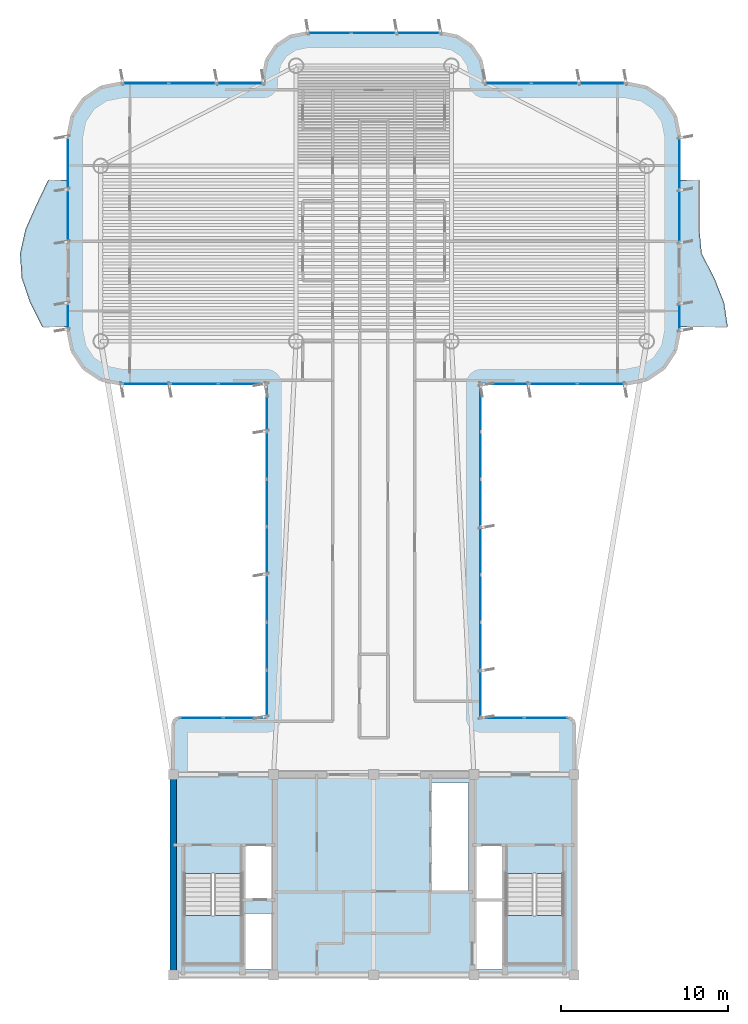
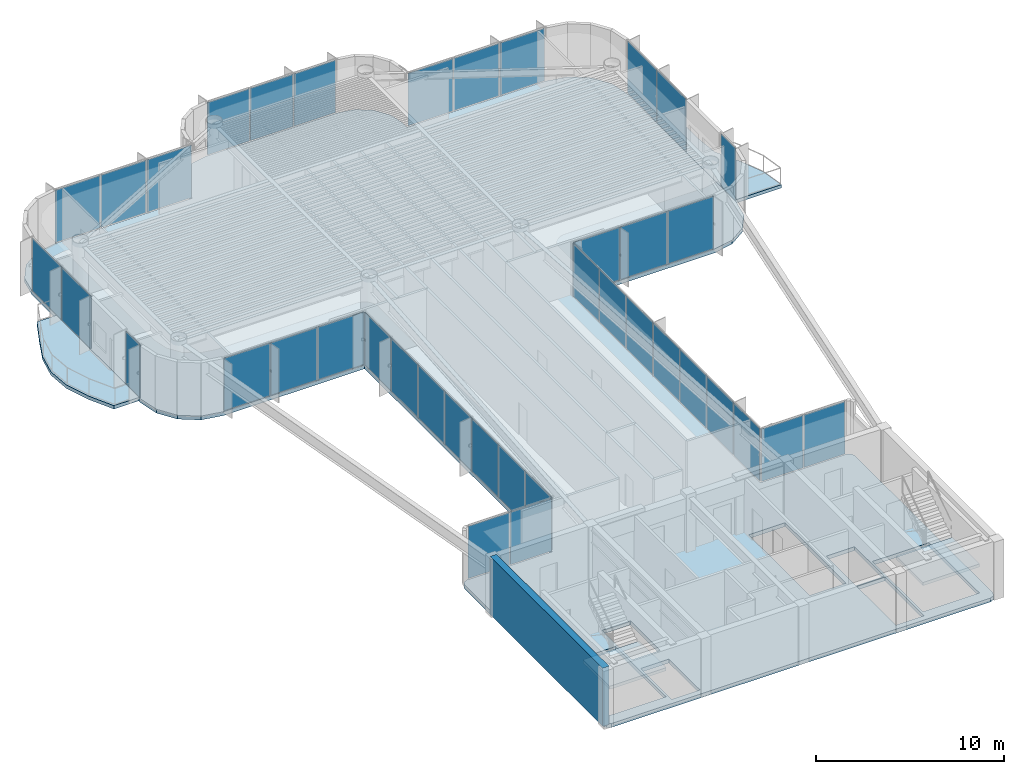
# One storey, part 9 of 16: 39 plates, 5 slabs, 1 wall, 15 elements without a shape of their own.
"""IFC4 building model written with IfcOpenShell, lengths in metres."""

import ifcopenshell
import ifcopenshell.guid

model = None  # the IFC model being written
_history = None  # IfcOwnerHistory: only IFC2X3 demands one
_inside = {}  # id of a spatial element -> (the spatial element, [elements in it])
_under = {}  # id of a project, library or spatial element -> (it, [spatial elements below it])
_declared = {}  # id of a project -> (the project, [libraries it declares])
_typed = {}  # id of a type object -> (the type object, [elements of that type])
_made_of = {}  # id of a material, layer set ... -> (it, [elements and type objects made of it])


def new_model(schema):
    """Start an empty IFC model of exactly this schema.

    Asked for "IFC4X3", IfcOpenShell would pick the latest addendum, in which some entities
    have other attributes; the version numbers below select the first issue.
    IFC2X3 requires an IfcOwnerHistory on every rooted entity: one is made here for all.
    """
    global model, _history
    if schema == "IFC4X3":
        model = ifcopenshell.file(schema_version=(4, 3, 0, 0))
    else:
        model = ifcopenshell.file(schema=schema)
    _inside.clear()
    _under.clear()
    _declared.clear()
    _typed.clear()
    _made_of.clear()
    _history = None
    if model.schema == "IFC2X3":
        org = make("IfcOrganization", Name="unknown")
        user = make(
            "IfcPersonAndOrganization",
            ThePerson=make("IfcPerson", FamilyName="unknown"),
            TheOrganization=org,
        )
        app = make(
            "IfcApplication",
            ApplicationDeveloper=org,
            Version="unknown",
            ApplicationFullName="unknown",
            ApplicationIdentifier="unknown",
        )
        _history = make(
            "IfcOwnerHistory",
            OwningUser=user,
            OwningApplication=app,
            ChangeAction="ADDED",
            CreationDate=0,
        )
    return model


def make(cls, **values):
    """One entity of the class cls with the attributes given. An attribute that is None is left unset."""
    return model.create_entity(
        cls, **{name: value for name, value in values.items() if value is not None}
    )


def rooted(cls, **values):
    """An entity with a GlobalId (a new one), such as an element, a storey or a relation."""
    return make(cls, GlobalId=ifcopenshell.guid.new(), OwnerHistory=_history, **values)


def si_unit(unit_type, name, prefix=None):
    """IfcSIUnit, for example si_unit("LENGTHUNIT", "METRE", prefix="MILLI")."""
    return make("IfcSIUnit", UnitType=unit_type, Prefix=prefix, Name=name)


def assignment(units):
    """IfcUnitAssignment: the units of a project."""
    return None if units is None else make("IfcUnitAssignment", Units=units)


def point(xyz):
    """IfcCartesianPoint."""
    return None if xyz is None else make("IfcCartesianPoint", Coordinates=xyz)


def direction(xyz):
    """IfcDirection."""
    return None if xyz is None else make("IfcDirection", DirectionRatios=xyz)


def frame(location, z_axis=None, x_axis=None):
    """IfcAxis2Placement3D, a coordinate frame: its origin and axes. An axis left out is left unset."""
    return make(
        "IfcAxis2Placement3D",
        Location=point(location),
        Axis=direction(z_axis),
        RefDirection=direction(x_axis),
    )


def frame_2d(location, x_axis=None):
    """IfcAxis2Placement2D, a coordinate frame in the plane: its origin and x axis."""
    return make(
        "IfcAxis2Placement2D", Location=point(location), RefDirection=direction(x_axis)
    )


def origin():
    """The frame at (0, 0, 0) with its axes left unset."""
    return frame((0.0, 0.0, 0.0))


def origin_2d():
    """The frame at (0, 0) in the plane with its x axis left unset."""
    return frame_2d((0.0, 0.0))


def place(relative_to, where):
    """IfcLocalPlacement: puts the frame where relative to a parent placement (None: the world)."""
    return make(
        "IfcLocalPlacement", PlacementRelTo=relative_to, RelativePlacement=where
    )


def context(
    kind, dimensions, precision=None, world=None, true_north=None, identifier=None
):
    """IfcGeometricRepresentationContext, for example the 3D "Model" context."""
    return make(
        "IfcGeometricRepresentationContext",
        ContextIdentifier=identifier,
        ContextType=kind,
        CoordinateSpaceDimension=dimensions,
        Precision=precision,
        WorldCoordinateSystem=world,
        TrueNorth=true_north,
    )


def subcontext(parent, identifier, kind, view, scale=None):
    """IfcGeometricRepresentationSubContext, for example "Body" below "Model"."""
    return make(
        "IfcGeometricRepresentationSubContext",
        ContextIdentifier=identifier,
        ContextType=kind,
        ParentContext=parent,
        TargetScale=scale,
        TargetView=view,
    )


def project(units=None, contexts=None):
    """IfcProject with its units and contexts."""
    return rooted(
        "IfcProject",
        Name="project",
        RepresentationContexts=contexts,
        UnitsInContext=assignment(units),
    )


def spatial(cls, under=None, at=None, **own):
    """A site, building, storey or space (cls), placed at a placement, below another one or the project."""
    s = rooted(cls, ObjectPlacement=at, **own)
    if under is not None:
        _under.setdefault(under.id(), (under, []))[1].append(s)
    return s


def polyline(points):
    """IfcPolyline through the points."""
    return make("IfcPolyline", Points=[point(p) for p in points])


def profile(cls, at=None, kind="AREA", **sizes):
    """A parametric profile (cls). Its sizes go by their IFC names, for example OverallWidth=200.0."""
    return make(cls, ProfileType=kind, Position=at, **sizes)


def rectangle(**sizes):
    """IfcRectangleProfileDef."""
    return profile("IfcRectangleProfileDef", **sizes)


def outline(outer, holes=None, kind="AREA"):
    """IfcArbitraryClosedProfileDef: a profile drawn as a closed curve; with holes, ...WithVoids."""
    if holes is None:
        return make("IfcArbitraryClosedProfileDef", ProfileType=kind, OuterCurve=outer)
    return make(
        "IfcArbitraryProfileDefWithVoids",
        ProfileType=kind,
        OuterCurve=outer,
        InnerCurves=holes,
    )


def extrude(swept, where, along, depth):
    """IfcExtrudedAreaSolid: the profile swept, set in the frame where, extruded along a direction by depth."""
    return make(
        "IfcExtrudedAreaSolid",
        SweptArea=swept,
        Position=where,
        ExtrudedDirection=direction(along),
        Depth=depth,
    )


def shape(context_of_items, identifier, shape_type, items):
    """IfcShapeRepresentation: the items that make up one representation, for example the "Body"."""
    return make(
        "IfcShapeRepresentation",
        ContextOfItems=context_of_items,
        RepresentationIdentifier=identifier,
        RepresentationType=shape_type,
        Items=items,
    )


def source(mapping_origin, context_of_items, identifier, shape_type, items):
    """IfcRepresentationMap: a shape defined once, which mapped items show again and again."""
    return make(
        "IfcRepresentationMap",
        MappingOrigin=mapping_origin,
        MappedRepresentation=shape(context_of_items, identifier, shape_type, items),
    )


def transform(
    local_origin,
    x_axis=None,
    y_axis=None,
    z_axis=None,
    scale=None,
    scale2=None,
    scale3=None,
    uniform=True,
):
    """IfcCartesianTransformationOperator3D, or its non-uniform kind. x_axis, y_axis, z_axis: its Axis1, 2, 3."""
    if uniform:
        return make(
            "IfcCartesianTransformationOperator3D",
            Axis1=direction(x_axis),
            Axis2=direction(y_axis),
            LocalOrigin=point(local_origin),
            Scale=scale,
            Axis3=direction(z_axis),
        )
    return make(
        "IfcCartesianTransformationOperator3DnonUniform",
        Axis1=direction(x_axis),
        Axis2=direction(y_axis),
        LocalOrigin=point(local_origin),
        Scale=scale,
        Axis3=direction(z_axis),
        Scale2=scale2,
        Scale3=scale3,
    )


def mapped(mapping_source, mapping_target):
    """IfcMappedItem: shows the shape of a source again, moved by a transform."""
    return make(
        "IfcMappedItem", MappingSource=mapping_source, MappingTarget=mapping_target
    )


def material(Name=None, Category=None):
    """IfcMaterial."""
    return make("IfcMaterial", Name=Name, Category=Category)


def layer(
    of_material, thickness, ventilated=None, Name=None, Category=None, Priority=None
):
    """IfcMaterialLayer: one layer of a wall or slab, of a material (None: an air gap)."""
    return make(
        "IfcMaterialLayer",
        Material=of_material,
        LayerThickness=thickness,
        IsVentilated=ventilated,
        Name=Name,
        Category=Category,
        Priority=Priority,
    )


def layer_set(layers, Name=None):
    """IfcMaterialLayerSet."""
    return make("IfcMaterialLayerSet", MaterialLayers=layers, LayerSetName=Name)


def made_of(thing, what):
    """Note that an element or type object is made of a material, layer set ...; save() writes the relation."""
    if what is not None:
        _made_of.setdefault(what.id(), (what, []))[1].append(thing)
    return thing


def type_object(cls, material=None, **own):
    """A type object (cls), such as IfcWallType, which elements share."""
    return made_of(rooted(cls, **own), material)


def element(
    cls,
    number,
    at=None,
    inside=None,
    cuts=None,
    type_object=None,
    material=None,
    context=None,
    identifier="Body",
    shape_type=None,
    held_by="IfcProductDefinitionShape",
    body=None,
    shapes=None,
    **own,
):
    """One element of the class cls, such as IfcWall. Its Tag is "e" and its number.

    at: its placement. inside: the storey or other place that contains it. cuts: it is an
    opening in that element (IfcRelVoidsElement). A single representation is given by context,
    identifier, shape_type and body (its items); several are given by shapes. held_by: the class
    of the entity that holds the representations. save() writes the other relations.
    """
    e = rooted(cls, Tag="e%d" % number, ObjectPlacement=at, **own)
    if body is not None:
        shapes = [shape(context, identifier, shape_type, body)]
    if shapes is not None:
        e.Representation = make(held_by, Representations=shapes)
    if inside is not None:
        _inside.setdefault(inside.id(), (inside, []))[1].append(e)
    if cuts is not None:
        rooted(
            "IfcRelVoidsElement", RelatingBuildingElement=cuts, RelatedOpeningElement=e
        )
    if type_object is not None:
        _typed.setdefault(type_object.id(), (type_object, []))[1].append(e)
    return made_of(e, material)


def aggregate(whole, parts):
    """IfcRelAggregates: a whole, such as a stair, and the parts it consists of."""
    return rooted("IfcRelAggregates", RelatingObject=whole, RelatedObjects=parts)


def save(model, path):
    """Write the relations noted so far, then the file.

    IfcRelAggregates (storeys below a building ...), IfcRelContainedInSpatialStructure (elements
    in a storey), IfcRelDefinesByType, IfcRelAssociatesMaterial and IfcRelDeclares: one each for
    every whole, place, type object, material and project.
    """
    for whole, parts in _under.values():
        aggregate(whole, parts)
    for where, things in _inside.values():
        rooted(
            "IfcRelContainedInSpatialStructure",
            RelatedElements=things,
            RelatingStructure=where,
        )
    for kind, things in _typed.values():
        rooted("IfcRelDefinesByType", RelatedObjects=things, RelatingType=kind)
    for what, things in _made_of.values():
        rooted("IfcRelAssociatesMaterial", RelatedObjects=things, RelatingMaterial=what)
    for by, libraries in _declared.values():
        rooted("IfcRelDeclares", RelatingContext=by, RelatedDefinitions=libraries)
    model.write(path)


model = new_model("IFC4")

# Units and contexts
model_context = context("Model", 3, precision=1e-05, world=origin(), true_north=direction((0.0, 1.0)))
body_context = subcontext(model_context, "Body", "Model", "MODEL_VIEW")
ifc_project = project(units=[si_unit("LENGTHUNIT", "METRE"), si_unit("AREAUNIT", "SQUARE_METRE"), si_unit("VOLUMEUNIT", "CUBIC_METRE"), si_unit("PLANEANGLEUNIT", "RADIAN"), si_unit("MASSUNIT", "GRAM", prefix="KILO")], contexts=[model_context])

# Site, building, storey
site_placement = place(None, origin())
site = spatial("IfcSite", under=ifc_project, at=site_placement, CompositionType="ELEMENT")
building_placement = place(site_placement, origin())
building = spatial("IfcBuilding", under=site, at=building_placement, Name="Brelvock Crest Care Tower", CompositionType="ELEMENT")
storey_placement = place(building_placement, frame((0.0, 0.0, 226.800048828125)))
storey = spatial("IfcBuildingStorey", under=building, at=storey_placement, Name="L57", CompositionType="ELEMENT", Elevation=226.800048828125)

# Slabs
ifc_material_1 = material(Name="Concrete N50 (50 MPa)", Category="concrete")
ifc_layer_1 = layer(ifc_material_1, 0.22998046875, Name="SLB-FL4")
ifc_layer_set_1 = layer_set([ifc_layer_1], Name="Concrete N50 (50 MPa)")
slab_type_1 = type_object("IfcSlabType", Name="SLB-FL4", PredefinedType="FLOOR", material=ifc_layer_set_1)
slab_1_placement = place(storey_placement, frame((0.0, 0.0, -0.25)))
element("IfcSlab", 1, at=slab_1_placement, inside=storey, type_object=slab_type_1, Name="L57 Main Structural Slab", PredefinedType="FLOOR", context=body_context, shape_type="SweptSolid", body=[
    extrude(outline(polyline([(47.64990234375, 21.39990234375), (42.39990234375, 21.39990234375), (42.39990234375, 41.39990234375), (51.10009765625, 41.39990234375), (52.32470703125, 41.6435546875), (53.36279296875, 42.33740234375), (54.056396484375, 43.37548828125), (54.300048828125, 44.60009765625), (54.300048828125, 56.199951171875), (54.056396484375, 57.424560546875), (53.36279296875, 58.462646484375), (52.32470703125, 59.156494140625), (51.10009765625, 59.39990234375), (42.60009765625, 59.39990234375), (42.60009765625, 59.800048828125), (42.402099609375, 60.794921875), (41.83837890625, 61.638427734375), (40.9951171875, 62.2021484375), (40.0, 62.39990234375), (32.0, 62.39990234375), (31.0048828125, 62.2021484375), (30.16162109375, 61.638427734375), (29.597900390625, 60.794921875), (29.39990234375, 59.800048828125), (29.39990234375, 59.39990234375), (20.89990234375, 59.39990234375), (19.67529296875, 59.156494140625), (18.63720703125, 58.462646484375), (17.943603515625, 57.424560546875), (17.699951171875, 56.199951171875), (17.699951171875, 44.60009765625), (17.943603515625, 43.37548828125), (18.63720703125, 42.33740234375), (19.67529296875, 41.6435546875), (20.89990234375, 41.39990234375), (29.60009765625, 41.39990234375), (29.60009765625, 21.39990234375), (24.35009765625, 21.39990234375), (24.1025390625, 21.297607421875), (24.0, 21.050048828125), (24.0, 6.35009765625), (24.1025390625, 6.1025390625), (24.35009765625, 6.0), (47.64990234375, 6.0), (47.8974609375, 6.1025390625), (48.0, 6.35009765625), (48.0, 21.050048828125), (47.8974609375, 21.297607421875), (47.64990234375, 21.39990234375)]), holes=[polyline([(28.239990234375, 10.580078125), (29.97998046875, 10.580078125), (29.97998046875, 13.739990234375), (28.239990234375, 13.739990234375), (28.239990234375, 10.580078125)]), polyline([(42.02001953125, 10.580078125), (43.760009765625, 10.580078125), (43.760009765625, 13.739990234375), (42.02001953125, 13.739990234375), (42.02001953125, 10.580078125)]), polyline([(28.239990234375, 6.340087890625), (29.97998046875, 6.340087890625), (29.97998046875, 9.64990234375), (28.239990234375, 9.64990234375), (28.239990234375, 6.340087890625)]), polyline([(24.6298828125, 12.080078125), (24.6298828125, 6.699951171875), (28.110107421875, 6.699951171875), (28.110107421875, 12.080078125), (24.6298828125, 12.080078125)]), polyline([(43.889892578125, 12.080078125), (43.889892578125, 6.699951171875), (47.3701171875, 6.699951171875), (47.3701171875, 12.080078125), (43.889892578125, 12.080078125)]), polyline([(42.02001953125, 6.340087890625), (43.760009765625, 6.340087890625), (43.760009765625, 10.5), (42.02001953125, 10.5), (42.02001953125, 6.340087890625)]), polyline([(39.429931640625, 11.030029296875), (41.669921875, 11.030029296875), (41.669921875, 17.52001953125), (39.429931640625, 17.52001953125), (39.429931640625, 11.030029296875)])]), origin(), (0.0, 0.0, 1.0), 0.25),
])
ifc_layer_2 = layer(ifc_material_1, 0.219970703125, Name="SLB-WB1")
ifc_layer_set_2 = layer_set([ifc_layer_2], Name="Concrete N50 (50 MPa)")
slab_type_2 = type_object("IfcSlabType", Name="SLB-WB1", PredefinedType="FLOOR", material=ifc_layer_set_2)
slab_2_placement = place(storey_placement, frame((0.0, 0.0, -0.219970703125)))
element("IfcSlab", 2, at=slab_2_placement, inside=storey, type_object=slab_type_2, Name="L57 W Sinusoidal Wave Balcony Slab", PredefinedType="FLOOR", context=body_context, shape_type="SweptSolid", body=[
    extrude(outline(polyline([(17.699951171875, 53.60009765625), (16.5, 53.60009765625), (15.800537109375, 52.13330078125), (15.146728515625, 50.666748046875), (14.816650390625, 49.199951171875), (14.916748046875, 47.7333984375), (15.414794921875, 46.2666015625), (16.14990234375, 44.800048828125), (17.699951171875, 44.800048828125), (17.699951171875, 53.60009765625)])), origin(), (0.0, 0.0, 1.0), 0.219970703125),
])
slab_3_placement = place(storey_placement, frame((0.0, 0.0, -0.219970703125)))
element("IfcSlab", 3, at=slab_3_placement, inside=storey, type_object=slab_type_2, Name="L57 E Sinusoidal Wave Balcony Slab", PredefinedType="FLOOR", context=body_context, shape_type="SweptSolid", body=[
    extrude(outline(polyline([(54.300048828125, 44.800048828125), (57.199951171875, 44.800048828125), (56.982177734375, 46.2666015625), (56.399169921875, 47.7333984375), (55.638916015625, 49.199951171875), (55.5, 50.666748046875), (55.5, 52.13330078125), (55.5, 53.60009765625), (54.300048828125, 53.60009765625), (54.300048828125, 44.800048828125)])), origin(), (0.0, 0.0, 1.0), 0.219970703125),
])

# Stair, slab
ifc_material_2 = material(Name="Concrete N40 (40 MPa)", Category="concrete")
stair_type = type_object("IfcStairType", Name="ST-CORE1", PredefinedType="HALF_TURN_STAIR", material=ifc_material_2)
stair_1_placement = place(storey_placement, origin())
stair_1 = element("IfcStair", 4, at=stair_1_placement, inside=storey, type_object=stair_type, Name="L57 Fire-Isolated Core Stair ST-1", PredefinedType="HALF_TURN_STAIR")
ifc_layer_3 = layer(ifc_material_2, 0.199951171875, Name="STL-1")
ifc_layer_set_3 = layer_set([ifc_layer_3], Name="Concrete N40 (40 MPa)")
slab_type_3 = type_object("IfcSlabType", Name="STL-1", PredefinedType="LANDING", material=ifc_layer_set_3)
slab_4_placement = place(storey_placement, frame((0.0, 0.0, 1.68994140625)))
slab_4 = element("IfcSlab", 5, at=slab_4_placement, type_object=slab_type_3, Name="ST-1 landing 1", PredefinedType="LANDING", context=body_context, shape_type="SweptSolid", body=[
    extrude(outline(polyline([(24.6298828125, 9.56005859375), (24.6298828125, 6.699951171875), (28.110107421875, 6.699951171875), (28.110107421875, 9.56005859375), (24.6298828125, 9.56005859375)])), origin(), (0.0, 0.0, 1.0), 0.199951171875),
])
aggregate(stair_1, [slab_4])

stair_2_placement = place(storey_placement, origin())
stair_2 = element("IfcStair", 6, at=stair_2_placement, inside=storey, type_object=stair_type, Name="L57 Fire-Isolated Core Stair ST-2", PredefinedType="HALF_TURN_STAIR")
slab_5_placement = place(storey_placement, frame((0.0, 0.0, 1.68994140625)))
slab_5 = element("IfcSlab", 7, at=slab_5_placement, type_object=slab_type_3, Name="ST-2 landing 1", PredefinedType="LANDING", context=body_context, shape_type="SweptSolid", body=[
    extrude(outline(polyline([(43.889892578125, 9.56005859375), (43.889892578125, 6.699951171875), (47.3701171875, 6.699951171875), (47.3701171875, 9.56005859375), (43.889892578125, 9.56005859375)])), origin(), (0.0, 0.0, 1.0), 0.199951171875),
])
aggregate(stair_2, [slab_5])

# Curtain wall, plates
ifc_material_3 = material(Name="Dark Glass Double Glazed Low-E", Category="glass")
ifc_layer_4 = layer(ifc_material_3, 0.239990234375, Name="CWS-5")
ifc_layer_set_4 = layer_set([ifc_layer_4], Name="Dark Glass Double Glazed Low-E")
curtain_wall_type = type_object("IfcCurtainWallType", Name="CWS-5", PredefinedType="NOTDEFINED", material=ifc_layer_set_4)
curtain_wall_1_placement = place(storey_placement, origin())
curtain_wall_1 = element("IfcCurtainWall", 8, at=curtain_wall_1_placement, inside=storey, type_object=curtain_wall_type, Name="L57 Curtain Wall E10", PredefinedType="NOTDEFINED")
ifc_layer_5 = layer(ifc_material_3, 0.0380859375, Name="CWP-V2")
ifc_layer_set_5 = layer_set([ifc_layer_5], Name="Dark Glass Double Glazed Low-E")
plate_type = type_object("IfcPlateType", Name="CWP-V2", PredefinedType="CURTAIN_PANEL", material=ifc_layer_set_5)
shared_shape_1 = source(origin(), body_context, "Body", "SweptSolid", [
    extrude(rectangle(XDim=2.534912109375, YDim=0.035888671875, at=origin_2d()), origin(), (0.0, 0.0, 1.0), 3.409912109375),
])
plate_1_placement = place(storey_placement, frame((25.677490234375, 21.39990234375, 0.06005859375), z_axis=(0.0, 0.0, 1.0), x_axis=(1.0, 0.0, 0.0)))
plate_1 = element("IfcPlate", 9, at=plate_1_placement, type_object=plate_type, Name="CW-5 panel 1.1", PredefinedType="CURTAIN_PANEL", context=body_context, shape_type="MappedRepresentation", body=[
    mapped(shared_shape_1, transform((0.0, 0.0, 0.0), x_axis=(1.0, 0.0, 0.0), y_axis=(0.0, 1.0, 0.0), z_axis=(0.0, 0.0, 1.0), scale=1.0)),
])
plate_2_placement = place(storey_placement, frame((28.2724609375, 21.39990234375, 0.06005859375), z_axis=(0.0, 0.0, 1.0), x_axis=(1.0, 0.0, 0.0)))
plate_2 = element("IfcPlate", 10, at=plate_2_placement, type_object=plate_type, Name="CW-5 panel 2.1", PredefinedType="CURTAIN_PANEL", context=body_context, shape_type="MappedRepresentation", body=[
    mapped(shared_shape_1, transform((0.0, 0.0, 0.0), x_axis=(1.0, 0.0, 0.0), y_axis=(0.0, 1.0, 0.0), z_axis=(0.0, 0.0, 1.0), scale=1.0)),
])
aggregate(curtain_wall_1, [plate_1, plate_2])

curtain_wall_2_placement = place(storey_placement, origin())
curtain_wall_2 = element("IfcCurtainWall", 11, at=curtain_wall_2_placement, inside=storey, type_object=curtain_wall_type, Name="L57 Curtain Wall E46", PredefinedType="NOTDEFINED")
plate_3_placement = place(storey_placement, frame((43.7275390625, 21.39990234375, 0.06005859375), z_axis=(0.0, 0.0, 1.0), x_axis=(1.0, 0.0, 0.0)))
plate_3 = element("IfcPlate", 12, at=plate_3_placement, type_object=plate_type, Name="CW-5 panel 1.1", PredefinedType="CURTAIN_PANEL", context=body_context, shape_type="MappedRepresentation", body=[
    mapped(shared_shape_1, transform((0.0, 0.0, 0.0), x_axis=(1.0, 0.0, 0.0), y_axis=(0.0, 1.0, 0.0), z_axis=(0.0, 0.0, 1.0), scale=1.0)),
])
plate_4_placement = place(storey_placement, frame((46.322509765625, 21.39990234375, 0.06005859375), z_axis=(0.0, 0.0, 1.0), x_axis=(1.0, 0.0, 0.0)))
plate_4 = element("IfcPlate", 13, at=plate_4_placement, type_object=plate_type, Name="CW-5 panel 2.1", PredefinedType="CURTAIN_PANEL", context=body_context, shape_type="MappedRepresentation", body=[
    mapped(shared_shape_1, transform((0.0, 0.0, 0.0), x_axis=(1.0, 0.0, 0.0), y_axis=(0.0, 1.0, 0.0), z_axis=(0.0, 0.0, 1.0), scale=1.0)),
])
aggregate(curtain_wall_2, [plate_3, plate_4])

# Curtain wall, plate
curtain_wall_3_placement = place(storey_placement, origin())
curtain_wall_3 = element("IfcCurtainWall", 14, at=curtain_wall_3_placement, inside=storey, type_object=curtain_wall_type, Name="L57 Curtain Wall E17A", PredefinedType="NOTDEFINED")
shared_shape_2 = source(origin(), body_context, "Body", "SweptSolid", [
    extrude(rectangle(XDim=1.530029296875, YDim=0.035888671875, at=origin_2d()), origin(), (0.0, 0.0, 1.0), 3.409912109375),
])
plate_5_placement = place(storey_placement, frame((17.699951171875, 45.425048828125, 0.06005859375), z_axis=(0.0, 0.0, 1.0), x_axis=(0.0, 1.0, 0.0)))
plate_5 = element("IfcPlate", 15, at=plate_5_placement, type_object=plate_type, Name="CW-5 panel 1.1", PredefinedType="CURTAIN_PANEL", context=body_context, shape_type="MappedRepresentation", body=[
    mapped(shared_shape_2, transform((0.0, 0.0, 0.0), x_axis=(1.0, 0.0, 0.0), y_axis=(0.0, 1.0, 0.0), z_axis=(0.0, 0.0, 1.0), scale=1.0)),
])
aggregate(curtain_wall_3, [plate_5])

curtain_wall_4_placement = place(storey_placement, origin())
curtain_wall_4 = element("IfcCurtainWall", 16, at=curtain_wall_4_placement, inside=storey, type_object=curtain_wall_type, Name="L57 Curtain Wall E39B", PredefinedType="NOTDEFINED")
plate_6_placement = place(storey_placement, frame((54.300048828125, 45.425048828125, 0.06005859375), z_axis=(0.0, 0.0, 1.0), x_axis=(0.0, -1.0, 0.0)))
plate_6 = element("IfcPlate", 17, at=plate_6_placement, type_object=plate_type, Name="CW-5 panel 1.1", PredefinedType="CURTAIN_PANEL", context=body_context, shape_type="MappedRepresentation", body=[
    mapped(shared_shape_2, transform((0.0, 0.0, 0.0), x_axis=(1.0, 0.0, 0.0), y_axis=(0.0, 1.0, 0.0), z_axis=(0.0, 0.0, 1.0), scale=1.0)),
])
aggregate(curtain_wall_4, [plate_6])

# Curtain wall, plates
curtain_wall_5_placement = place(storey_placement, origin())
curtain_wall_5 = element("IfcCurtainWall", 18, at=curtain_wall_5_placement, inside=storey, type_object=curtain_wall_type, Name="L57 Curtain Wall E11", PredefinedType="NOTDEFINED")
shared_shape_3 = source(origin(), body_context, "Body", "SweptSolid", [
    extrude(rectangle(XDim=2.76708984375, YDim=0.035888671875, at=origin_2d()), origin(), (0.0, 0.0, 1.0), 3.409912109375),
])
plate_7_placement = place(storey_placement, frame((29.60009765625, 22.843505859375, 0.06005859375), z_axis=(0.0, 0.0, 1.0), x_axis=(0.0, 1.0, 0.0)))
plate_7 = element("IfcPlate", 19, at=plate_7_placement, type_object=plate_type, Name="CW-5 panel 1.1", PredefinedType="CURTAIN_PANEL", context=body_context, shape_type="MappedRepresentation", body=[
    mapped(shared_shape_3, transform((0.0, 0.0, 0.0), x_axis=(1.0, 0.0, 0.0), y_axis=(0.0, 1.0, 0.0), z_axis=(0.0, 0.0, 1.0), scale=1.0)),
])
plate_8_placement = place(storey_placement, frame((29.60009765625, 39.95654296875, 0.06005859375), z_axis=(0.0, 0.0, 1.0), x_axis=(0.0, 1.0, 0.0)))
plate_8 = element("IfcPlate", 20, at=plate_8_placement, type_object=plate_type, Name="CW-5 panel 7.1", PredefinedType="CURTAIN_PANEL", context=body_context, shape_type="MappedRepresentation", body=[
    mapped(shared_shape_3, transform((0.0, 0.0, 0.0), x_axis=(1.0, 0.0, 0.0), y_axis=(0.0, 1.0, 0.0), z_axis=(0.0, 0.0, 1.0), scale=1.0)),
])

curtain_wall_6_placement = place(storey_placement, origin())
curtain_wall_6 = element("IfcCurtainWall", 21, at=curtain_wall_6_placement, inside=storey, type_object=curtain_wall_type, Name="L57 Curtain Wall E45", PredefinedType="NOTDEFINED")
plate_9_placement = place(storey_placement, frame((42.39990234375, 39.95654296875, 0.06005859375), z_axis=(0.0, 0.0, 1.0), x_axis=(0.0, -1.0, 0.0)))
plate_9 = element("IfcPlate", 22, at=plate_9_placement, type_object=plate_type, Name="CW-5 panel 1.1", PredefinedType="CURTAIN_PANEL", context=body_context, shape_type="MappedRepresentation", body=[
    mapped(shared_shape_3, transform((0.0, 0.0, 0.0), x_axis=(1.0, 0.0, 0.0), y_axis=(0.0, 1.0, 0.0), z_axis=(0.0, 0.0, 1.0), scale=1.0)),
])
plate_10_placement = place(storey_placement, frame((42.39990234375, 22.843505859375, 0.06005859375), z_axis=(0.0, 0.0, 1.0), x_axis=(0.0, -1.0, 0.0)))
plate_10 = element("IfcPlate", 23, at=plate_10_placement, type_object=plate_type, Name="CW-5 panel 7.1", PredefinedType="CURTAIN_PANEL", context=body_context, shape_type="MappedRepresentation", body=[
    mapped(shared_shape_3, transform((0.0, 0.0, 0.0), x_axis=(1.0, 0.0, 0.0), y_axis=(0.0, 1.0, 0.0), z_axis=(0.0, 0.0, 1.0), scale=1.0)),
])

# Plate
shared_shape_4 = source(origin(), body_context, "Body", "SweptSolid", [
    extrude(rectangle(XDim=2.797119140625, YDim=0.035888671875, at=origin_2d()), origin(), (0.0, 0.0, 1.0), 3.409912109375),
])
plate_11_placement = place(storey_placement, frame((29.60009765625, 25.685791015625, 0.06005859375), z_axis=(0.0, 0.0, 1.0), x_axis=(0.0, 1.0, 0.0)))
plate_11 = element("IfcPlate", 24, at=plate_11_placement, type_object=plate_type, Name="CW-5 panel 2.1", PredefinedType="CURTAIN_PANEL", context=body_context, shape_type="MappedRepresentation", body=[
    mapped(shared_shape_4, transform((0.0, 0.0, 0.0), x_axis=(1.0, 0.0, 0.0), y_axis=(0.0, 1.0, 0.0), z_axis=(0.0, 0.0, 1.0), scale=1.0)),
])

plate_12_placement = place(storey_placement, frame((29.60009765625, 28.54296875, 0.06005859375), z_axis=(0.0, 0.0, 1.0), x_axis=(0.0, 1.0, 0.0)))
plate_12 = element("IfcPlate", 25, at=plate_12_placement, type_object=plate_type, Name="CW-5 panel 3.1", PredefinedType="CURTAIN_PANEL", context=body_context, shape_type="MappedRepresentation", body=[
    mapped(shared_shape_4, transform((0.0, 0.0, 0.0), x_axis=(1.0, 0.0, 0.0), y_axis=(0.0, 1.0, 0.0), z_axis=(0.0, 0.0, 1.0), scale=1.0)),
])

plate_13_placement = place(storey_placement, frame((29.60009765625, 31.39990234375, 0.06005859375), z_axis=(0.0, 0.0, 1.0), x_axis=(0.0, 1.0, 0.0)))
plate_13 = element("IfcPlate", 26, at=plate_13_placement, type_object=plate_type, Name="CW-5 panel 4.1", PredefinedType="CURTAIN_PANEL", context=body_context, shape_type="MappedRepresentation", body=[
    mapped(shared_shape_4, transform((0.0, 0.0, 0.0), x_axis=(1.0, 0.0, 0.0), y_axis=(0.0, 1.0, 0.0), z_axis=(0.0, 0.0, 1.0), scale=1.0)),
])

plate_14_placement = place(storey_placement, frame((29.60009765625, 34.257080078125, 0.06005859375), z_axis=(0.0, 0.0, 1.0), x_axis=(0.0, 1.0, 0.0)))
plate_14 = element("IfcPlate", 27, at=plate_14_placement, type_object=plate_type, Name="CW-5 panel 5.1", PredefinedType="CURTAIN_PANEL", context=body_context, shape_type="MappedRepresentation", body=[
    mapped(shared_shape_4, transform((0.0, 0.0, 0.0), x_axis=(1.0, 0.0, 0.0), y_axis=(0.0, 1.0, 0.0), z_axis=(0.0, 0.0, 1.0), scale=1.0)),
])

plate_15_placement = place(storey_placement, frame((29.60009765625, 37.1142578125, 0.06005859375), z_axis=(0.0, 0.0, 1.0), x_axis=(0.0, 1.0, 0.0)))
plate_15 = element("IfcPlate", 28, at=plate_15_placement, type_object=plate_type, Name="CW-5 panel 6.1", PredefinedType="CURTAIN_PANEL", context=body_context, shape_type="MappedRepresentation", body=[
    mapped(shared_shape_4, transform((0.0, 0.0, 0.0), x_axis=(1.0, 0.0, 0.0), y_axis=(0.0, 1.0, 0.0), z_axis=(0.0, 0.0, 1.0), scale=1.0)),
])

aggregate(curtain_wall_5, [plate_7, plate_11, plate_12, plate_13, plate_14, plate_15, plate_8])

plate_16_placement = place(storey_placement, frame((42.39990234375, 37.1142578125, 0.06005859375), z_axis=(0.0, 0.0, 1.0), x_axis=(0.0, -1.0, 0.0)))
plate_16 = element("IfcPlate", 29, at=plate_16_placement, type_object=plate_type, Name="CW-5 panel 2.1", PredefinedType="CURTAIN_PANEL", context=body_context, shape_type="MappedRepresentation", body=[
    mapped(shared_shape_4, transform((0.0, 0.0, 0.0), x_axis=(1.0, 0.0, 0.0), y_axis=(0.0, 1.0, 0.0), z_axis=(0.0, 0.0, 1.0), scale=1.0)),
])

plate_17_placement = place(storey_placement, frame((42.39990234375, 34.257080078125, 0.06005859375), z_axis=(0.0, 0.0, 1.0), x_axis=(0.0, -1.0, 0.0)))
plate_17 = element("IfcPlate", 30, at=plate_17_placement, type_object=plate_type, Name="CW-5 panel 3.1", PredefinedType="CURTAIN_PANEL", context=body_context, shape_type="MappedRepresentation", body=[
    mapped(shared_shape_4, transform((0.0, 0.0, 0.0), x_axis=(1.0, 0.0, 0.0), y_axis=(0.0, 1.0, 0.0), z_axis=(0.0, 0.0, 1.0), scale=1.0)),
])

plate_18_placement = place(storey_placement, frame((42.39990234375, 31.39990234375, 0.06005859375), z_axis=(0.0, 0.0, 1.0), x_axis=(0.0, -1.0, 0.0)))
plate_18 = element("IfcPlate", 31, at=plate_18_placement, type_object=plate_type, Name="CW-5 panel 4.1", PredefinedType="CURTAIN_PANEL", context=body_context, shape_type="MappedRepresentation", body=[
    mapped(shared_shape_4, transform((0.0, 0.0, 0.0), x_axis=(1.0, 0.0, 0.0), y_axis=(0.0, 1.0, 0.0), z_axis=(0.0, 0.0, 1.0), scale=1.0)),
])

plate_19_placement = place(storey_placement, frame((42.39990234375, 28.54296875, 0.06005859375), z_axis=(0.0, 0.0, 1.0), x_axis=(0.0, -1.0, 0.0)))
plate_19 = element("IfcPlate", 32, at=plate_19_placement, type_object=plate_type, Name="CW-5 panel 5.1", PredefinedType="CURTAIN_PANEL", context=body_context, shape_type="MappedRepresentation", body=[
    mapped(shared_shape_4, transform((0.0, 0.0, 0.0), x_axis=(1.0, 0.0, 0.0), y_axis=(0.0, 1.0, 0.0), z_axis=(0.0, 0.0, 1.0), scale=1.0)),
])

plate_20_placement = place(storey_placement, frame((42.39990234375, 25.685791015625, 0.06005859375), z_axis=(0.0, 0.0, 1.0), x_axis=(0.0, -1.0, 0.0)))
plate_20 = element("IfcPlate", 33, at=plate_20_placement, type_object=plate_type, Name="CW-5 panel 6.1", PredefinedType="CURTAIN_PANEL", context=body_context, shape_type="MappedRepresentation", body=[
    mapped(shared_shape_4, transform((0.0, 0.0, 0.0), x_axis=(1.0, 0.0, 0.0), y_axis=(0.0, 1.0, 0.0), z_axis=(0.0, 0.0, 1.0), scale=1.0)),
])

aggregate(curtain_wall_6, [plate_9, plate_16, plate_17, plate_18, plate_19, plate_20, plate_10])

# Curtain wall, plates
curtain_wall_7_placement = place(storey_placement, origin())
curtain_wall_7 = element("IfcCurtainWall", 34, at=curtain_wall_7_placement, inside=storey, type_object=curtain_wall_type, Name="L57 Curtain Wall E12", PredefinedType="NOTDEFINED")
shared_shape_5 = source(origin(), body_context, "Body", "SweptSolid", [
    extrude(rectangle(XDim=2.81005859375, YDim=0.035888671875, at=origin_2d()), origin(), (0.0, 0.0, 1.0), 3.409912109375),
])
plate_21_placement = place(storey_placement, frame((28.135009765625, 41.39990234375, 0.06005859375), z_axis=(0.0, 0.0, 1.0), x_axis=(-1.0, 0.0, 0.0)))
plate_21 = element("IfcPlate", 35, at=plate_21_placement, type_object=plate_type, Name="CW-5 panel 1.1", PredefinedType="CURTAIN_PANEL", context=body_context, shape_type="MappedRepresentation", body=[
    mapped(shared_shape_5, transform((0.0, 0.0, 0.0), x_axis=(1.0, 0.0, 0.0), y_axis=(0.0, 1.0, 0.0), z_axis=(0.0, 0.0, 1.0), scale=1.0)),
])
plate_22_placement = place(storey_placement, frame((22.364990234375, 41.39990234375, 0.06005859375), z_axis=(0.0, 0.0, 1.0), x_axis=(-1.0, 0.0, 0.0)))
plate_22 = element("IfcPlate", 36, at=plate_22_placement, type_object=plate_type, Name="CW-5 panel 3.1", PredefinedType="CURTAIN_PANEL", context=body_context, shape_type="MappedRepresentation", body=[
    mapped(shared_shape_5, transform((0.0, 0.0, 0.0), x_axis=(1.0, 0.0, 0.0), y_axis=(0.0, 1.0, 0.0), z_axis=(0.0, 0.0, 1.0), scale=1.0)),
])

curtain_wall_8_placement = place(storey_placement, origin())
curtain_wall_8 = element("IfcCurtainWall", 37, at=curtain_wall_8_placement, inside=storey, type_object=curtain_wall_type, Name="L57 Curtain Wall E44", PredefinedType="NOTDEFINED")
plate_23_placement = place(storey_placement, frame((49.635009765625, 41.39990234375, 0.06005859375), z_axis=(0.0, 0.0, 1.0), x_axis=(-1.0, 0.0, 0.0)))
plate_23 = element("IfcPlate", 38, at=plate_23_placement, type_object=plate_type, Name="CW-5 panel 1.1", PredefinedType="CURTAIN_PANEL", context=body_context, shape_type="MappedRepresentation", body=[
    mapped(shared_shape_5, transform((0.0, 0.0, 0.0), x_axis=(1.0, 0.0, 0.0), y_axis=(0.0, 1.0, 0.0), z_axis=(0.0, 0.0, 1.0), scale=1.0)),
])
plate_24_placement = place(storey_placement, frame((43.864990234375, 41.39990234375, 0.06005859375), z_axis=(0.0, 0.0, 1.0), x_axis=(-1.0, 0.0, 0.0)))
plate_24 = element("IfcPlate", 39, at=plate_24_placement, type_object=plate_type, Name="CW-5 panel 3.1", PredefinedType="CURTAIN_PANEL", context=body_context, shape_type="MappedRepresentation", body=[
    mapped(shared_shape_5, transform((0.0, 0.0, 0.0), x_axis=(1.0, 0.0, 0.0), y_axis=(0.0, 1.0, 0.0), z_axis=(0.0, 0.0, 1.0), scale=1.0)),
])

# Plate
shared_shape_6 = source(origin(), body_context, "Body", "SweptSolid", [
    extrude(rectangle(XDim=2.840087890625, YDim=0.035888671875, at=origin_2d()), origin(), (0.0, 0.0, 1.0), 3.409912109375),
])
plate_25_placement = place(storey_placement, frame((25.25, 41.39990234375, 0.06005859375), z_axis=(0.0, 0.0, 1.0), x_axis=(-1.0, 0.0, 0.0)))
plate_25 = element("IfcPlate", 40, at=plate_25_placement, type_object=plate_type, Name="CW-5 panel 2.1", PredefinedType="CURTAIN_PANEL", context=body_context, shape_type="MappedRepresentation", body=[
    mapped(shared_shape_6, transform((0.0, 0.0, 0.0), x_axis=(1.0, 0.0, 0.0), y_axis=(0.0, 1.0, 0.0), z_axis=(0.0, 0.0, 1.0), scale=1.0)),
])

aggregate(curtain_wall_7, [plate_21, plate_25, plate_22])

plate_26_placement = place(storey_placement, frame((46.75, 41.39990234375, 0.06005859375), z_axis=(0.0, 0.0, 1.0), x_axis=(-1.0, 0.0, 0.0)))
plate_26 = element("IfcPlate", 41, at=plate_26_placement, type_object=plate_type, Name="CW-5 panel 2.1", PredefinedType="CURTAIN_PANEL", context=body_context, shape_type="MappedRepresentation", body=[
    mapped(shared_shape_6, transform((0.0, 0.0, 0.0), x_axis=(1.0, 0.0, 0.0), y_axis=(0.0, 1.0, 0.0), z_axis=(0.0, 0.0, 1.0), scale=1.0)),
])

aggregate(curtain_wall_8, [plate_23, plate_26, plate_24])

# Curtain wall, plates
curtain_wall_9_placement = place(storey_placement, origin())
curtain_wall_9 = element("IfcCurtainWall", 42, at=curtain_wall_9_placement, inside=storey, type_object=curtain_wall_type, Name="L57 Curtain Wall E17B", PredefinedType="NOTDEFINED")
shared_shape_7 = source(origin(), body_context, "Body", "SweptSolid", [
    extrude(rectangle(XDim=3.0849609375, YDim=0.035888671875, at=origin_2d()), origin(), (0.0, 0.0, 1.0), 3.409912109375),
])
plate_27_placement = place(storey_placement, frame((17.699951171875, 51.452392578125, 0.06005859375), z_axis=(0.0, 0.0, 1.0), x_axis=(0.0, 1.0, 0.0)))
plate_27 = element("IfcPlate", 43, at=plate_27_placement, type_object=plate_type, Name="CW-5 panel 1.1", PredefinedType="CURTAIN_PANEL", context=body_context, shape_type="MappedRepresentation", body=[
    mapped(shared_shape_7, transform((0.0, 0.0, 0.0), x_axis=(1.0, 0.0, 0.0), y_axis=(0.0, 1.0, 0.0), z_axis=(0.0, 0.0, 1.0), scale=1.0)),
])
plate_28_placement = place(storey_placement, frame((17.699951171875, 54.597412109375, 0.06005859375), z_axis=(0.0, 0.0, 1.0), x_axis=(0.0, 1.0, 0.0)))
plate_28 = element("IfcPlate", 44, at=plate_28_placement, type_object=plate_type, Name="CW-5 panel 2.1", PredefinedType="CURTAIN_PANEL", context=body_context, shape_type="MappedRepresentation", body=[
    mapped(shared_shape_7, transform((0.0, 0.0, 0.0), x_axis=(1.0, 0.0, 0.0), y_axis=(0.0, 1.0, 0.0), z_axis=(0.0, 0.0, 1.0), scale=1.0)),
])
aggregate(curtain_wall_9, [plate_27, plate_28])

curtain_wall_10_placement = place(storey_placement, origin())
curtain_wall_10 = element("IfcCurtainWall", 45, at=curtain_wall_10_placement, inside=storey, type_object=curtain_wall_type, Name="L57 Curtain Wall E39A", PredefinedType="NOTDEFINED")
plate_29_placement = place(storey_placement, frame((54.300048828125, 54.597412109375, 0.06005859375), z_axis=(0.0, 0.0, 1.0), x_axis=(0.0, -1.0, 0.0)))
plate_29 = element("IfcPlate", 46, at=plate_29_placement, type_object=plate_type, Name="CW-5 panel 1.1", PredefinedType="CURTAIN_PANEL", context=body_context, shape_type="MappedRepresentation", body=[
    mapped(shared_shape_7, transform((0.0, 0.0, 0.0), x_axis=(1.0, 0.0, 0.0), y_axis=(0.0, 1.0, 0.0), z_axis=(0.0, 0.0, 1.0), scale=1.0)),
])
plate_30_placement = place(storey_placement, frame((54.300048828125, 51.452392578125, 0.06005859375), z_axis=(0.0, 0.0, 1.0), x_axis=(0.0, -1.0, 0.0)))
plate_30 = element("IfcPlate", 47, at=plate_30_placement, type_object=plate_type, Name="CW-5 panel 2.1", PredefinedType="CURTAIN_PANEL", context=body_context, shape_type="MappedRepresentation", body=[
    mapped(shared_shape_7, transform((0.0, 0.0, 0.0), x_axis=(1.0, 0.0, 0.0), y_axis=(0.0, 1.0, 0.0), z_axis=(0.0, 0.0, 1.0), scale=1.0)),
])
aggregate(curtain_wall_10, [plate_29, plate_30])

curtain_wall_11_placement = place(storey_placement, origin())
curtain_wall_11 = element("IfcCurtainWall", 48, at=curtain_wall_11_placement, inside=storey, type_object=curtain_wall_type, Name="L57 Curtain Wall E22", PredefinedType="NOTDEFINED")
shared_shape_8 = source(origin(), body_context, "Body", "SweptSolid", [
    extrude(rectangle(XDim=2.743408203125, YDim=0.035888671875, at=origin_2d()), origin(), (0.0, 0.0, 1.0), 3.409912109375),
])
plate_31_placement = place(storey_placement, frame((22.331787109375, 59.39990234375, 0.06005859375), z_axis=(0.0, 0.0, 1.0), x_axis=(1.0, 0.0, 0.0)))
plate_31 = element("IfcPlate", 49, at=plate_31_placement, type_object=plate_type, Name="CW-5 panel 1.1", PredefinedType="CURTAIN_PANEL", context=body_context, shape_type="MappedRepresentation", body=[
    mapped(shared_shape_8, transform((0.0, 0.0, 0.0), x_axis=(1.0, 0.0, 0.0), y_axis=(0.0, 1.0, 0.0), z_axis=(0.0, 0.0, 1.0), scale=1.0)),
])
plate_32_placement = place(storey_placement, frame((27.96826171875, 59.39990234375, 0.06005859375), z_axis=(0.0, 0.0, 1.0), x_axis=(1.0, 0.0, 0.0)))
plate_32 = element("IfcPlate", 50, at=plate_32_placement, type_object=plate_type, Name="CW-5 panel 3.1", PredefinedType="CURTAIN_PANEL", context=body_context, shape_type="MappedRepresentation", body=[
    mapped(shared_shape_8, transform((0.0, 0.0, 0.0), x_axis=(1.0, 0.0, 0.0), y_axis=(0.0, 1.0, 0.0), z_axis=(0.0, 0.0, 1.0), scale=1.0)),
])

curtain_wall_12_placement = place(storey_placement, origin())
curtain_wall_12 = element("IfcCurtainWall", 51, at=curtain_wall_12_placement, inside=storey, type_object=curtain_wall_type, Name="L57 Curtain Wall E34", PredefinedType="NOTDEFINED")
plate_33_placement = place(storey_placement, frame((44.03173828125, 59.39990234375, 0.06005859375), z_axis=(0.0, 0.0, 1.0), x_axis=(1.0, 0.0, 0.0)))
plate_33 = element("IfcPlate", 52, at=plate_33_placement, type_object=plate_type, Name="CW-5 panel 1.1", PredefinedType="CURTAIN_PANEL", context=body_context, shape_type="MappedRepresentation", body=[
    mapped(shared_shape_8, transform((0.0, 0.0, 0.0), x_axis=(1.0, 0.0, 0.0), y_axis=(0.0, 1.0, 0.0), z_axis=(0.0, 0.0, 1.0), scale=1.0)),
])
plate_34_placement = place(storey_placement, frame((49.668212890625, 59.39990234375, 0.06005859375), z_axis=(0.0, 0.0, 1.0), x_axis=(1.0, 0.0, 0.0)))
plate_34 = element("IfcPlate", 53, at=plate_34_placement, type_object=plate_type, Name="CW-5 panel 3.1", PredefinedType="CURTAIN_PANEL", context=body_context, shape_type="MappedRepresentation", body=[
    mapped(shared_shape_8, transform((0.0, 0.0, 0.0), x_axis=(1.0, 0.0, 0.0), y_axis=(0.0, 1.0, 0.0), z_axis=(0.0, 0.0, 1.0), scale=1.0)),
])

# Plate
shared_shape_9 = source(origin(), body_context, "Body", "SweptSolid", [
    extrude(rectangle(XDim=2.7734375, YDim=0.035888671875, at=origin_2d()), origin(), (0.0, 0.0, 1.0), 3.409912109375),
])
plate_35_placement = place(storey_placement, frame((25.14990234375, 59.39990234375, 0.06005859375), z_axis=(0.0, 0.0, 1.0), x_axis=(1.0, 0.0, 0.0)))
plate_35 = element("IfcPlate", 54, at=plate_35_placement, type_object=plate_type, Name="CW-5 panel 2.1", PredefinedType="CURTAIN_PANEL", context=body_context, shape_type="MappedRepresentation", body=[
    mapped(shared_shape_9, transform((0.0, 0.0, 0.0), x_axis=(1.0, 0.0, 0.0), y_axis=(0.0, 1.0, 0.0), z_axis=(0.0, 0.0, 1.0), scale=1.0)),
])

aggregate(curtain_wall_11, [plate_31, plate_35, plate_32])

plate_36_placement = place(storey_placement, frame((46.85009765625, 59.39990234375, 0.06005859375), z_axis=(0.0, 0.0, 1.0), x_axis=(1.0, 0.0, 0.0)))
plate_36 = element("IfcPlate", 55, at=plate_36_placement, type_object=plate_type, Name="CW-5 panel 2.1", PredefinedType="CURTAIN_PANEL", context=body_context, shape_type="MappedRepresentation", body=[
    mapped(shared_shape_9, transform((0.0, 0.0, 0.0), x_axis=(1.0, 0.0, 0.0), y_axis=(0.0, 1.0, 0.0), z_axis=(0.0, 0.0, 1.0), scale=1.0)),
])

aggregate(curtain_wall_12, [plate_33, plate_36, plate_34])

# Curtain wall, plates
curtain_wall_13_placement = place(storey_placement, origin())
curtain_wall_13 = element("IfcCurtainWall", 56, at=curtain_wall_13_placement, inside=storey, type_object=curtain_wall_type, Name="L57 Curtain Wall E28", PredefinedType="NOTDEFINED")
shared_shape_10 = source(origin(), body_context, "Body", "SweptSolid", [
    extrude(rectangle(XDim=2.57666015625, YDim=0.035888671875, at=origin_2d()), origin(), (0.0, 0.0, 1.0), 3.409912109375),
])
plate_37_placement = place(storey_placement, frame((33.348388671875, 62.39990234375, 0.06005859375), z_axis=(0.0, 0.0, 1.0), x_axis=(1.0, 0.0, 0.0)))
plate_37 = element("IfcPlate", 57, at=plate_37_placement, type_object=plate_type, Name="CW-5 panel 1.1", PredefinedType="CURTAIN_PANEL", context=body_context, shape_type="MappedRepresentation", body=[
    mapped(shared_shape_10, transform((0.0, 0.0, 0.0), x_axis=(1.0, 0.0, 0.0), y_axis=(0.0, 1.0, 0.0), z_axis=(0.0, 0.0, 1.0), scale=1.0)),
])
plate_38_placement = place(storey_placement, frame((38.651611328125, 62.39990234375, 0.06005859375), z_axis=(0.0, 0.0, 1.0), x_axis=(1.0, 0.0, 0.0)))
plate_38 = element("IfcPlate", 58, at=plate_38_placement, type_object=plate_type, Name="CW-5 panel 3.1", PredefinedType="CURTAIN_PANEL", context=body_context, shape_type="MappedRepresentation", body=[
    mapped(shared_shape_10, transform((0.0, 0.0, 0.0), x_axis=(1.0, 0.0, 0.0), y_axis=(0.0, 1.0, 0.0), z_axis=(0.0, 0.0, 1.0), scale=1.0)),
])
shared_shape_11 = source(origin(), body_context, "Body", "SweptSolid", [
    extrude(rectangle(XDim=2.606689453125, YDim=0.035888671875, at=origin_2d()), origin(), (0.0, 0.0, 1.0), 3.409912109375),
])
plate_39_placement = place(storey_placement, frame((36.0, 62.39990234375, 0.06005859375), z_axis=(0.0, 0.0, 1.0), x_axis=(1.0, 0.0, 0.0)))
plate_39 = element("IfcPlate", 59, at=plate_39_placement, type_object=plate_type, Name="CW-5 panel 2.1", PredefinedType="CURTAIN_PANEL", context=body_context, shape_type="MappedRepresentation", body=[
    mapped(shared_shape_11, transform((0.0, 0.0, 0.0), x_axis=(1.0, 0.0, 0.0), y_axis=(0.0, 1.0, 0.0), z_axis=(0.0, 0.0, 1.0), scale=1.0)),
])
aggregate(curtain_wall_13, [plate_37, plate_39, plate_38])

# Wall
ifc_material_4 = material(Name="Concrete S65 (65 MPa)", Category="concrete")
ifc_layer_6 = layer(ifc_material_4, 0.39990234375, Name="WL-CS4")
ifc_layer_set_6 = layer_set([ifc_layer_6], Name="Concrete S65 (65 MPa)")
wall_type = type_object("IfcWallType", Name="WL-CS4", PredefinedType="SHEAR", material=ifc_layer_set_6)
wall_placement = place(storey_placement, frame((24.0, 6.0, 0.0), z_axis=(0.0, 0.0, 1.0), x_axis=(0.0, 1.0, 0.0)))
element("IfcWall", 60, at=wall_placement, inside=storey, type_object=wall_type, Name="L57 Core West Shear Wall", PredefinedType="SHEAR", context=body_context, shape_type="SweptSolid", body=[
    extrude(rectangle(XDim=12.0, YDim=0.39990234375, at=frame_2d((6.0, 0.0))), origin(), (0.0, 0.0, 1.0), 3.780029296875),
])

save(model, "model.ifc")
